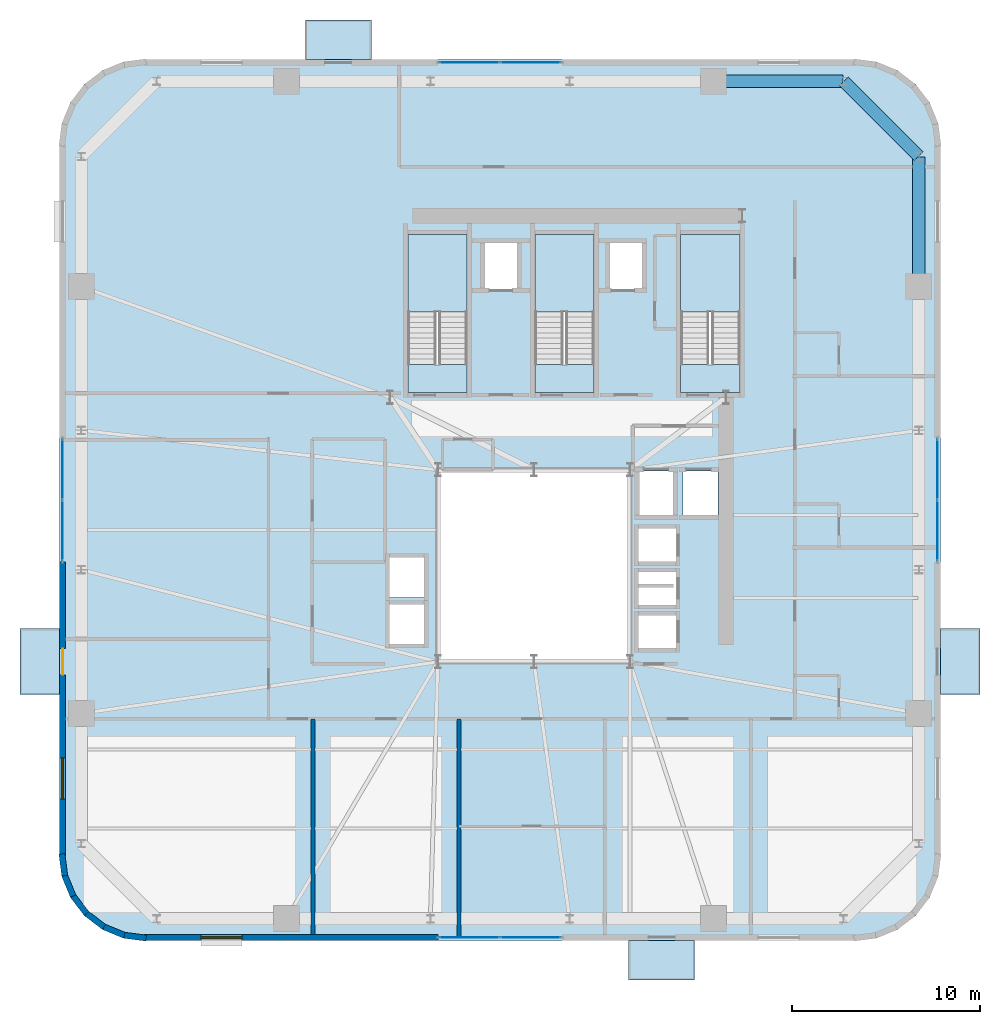
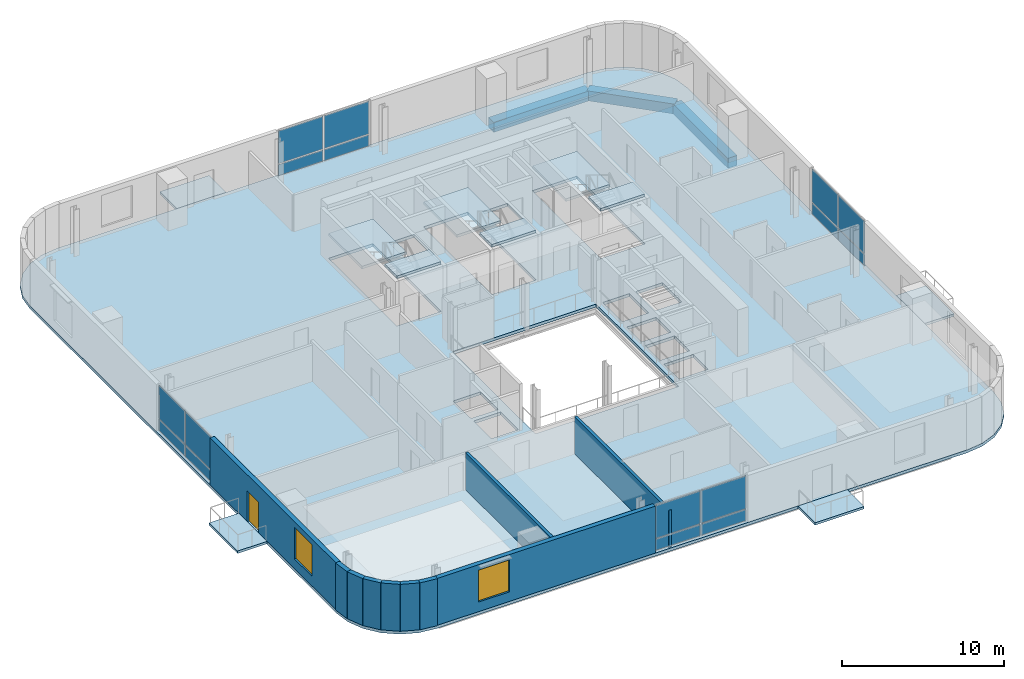
# One storey, part 7 of 16: 16 plates, 11 slabs, 10 walls, 3 beams, 2 windows, 1 door, 3 openings, 7 elements without a shape of their own.
"""IFC4 building model written with IfcOpenShell, lengths in metres."""

from ifc_helpers import new_model, si_unit, direction, frame, frame_2d, origin, origin_2d, place, context, subcontext, project, spatial, polyline, rectangle, outline, extrude, source, transform, mapped, material, layer, layer_set, material_profile, profile_set, type_object, element, fill, aggregate, save


model = new_model("IFC4")

# Units and contexts
model_context = context("Model", 3, precision=1e-05, world=origin(), true_north=direction((0.0, 1.0)))
body_context = subcontext(model_context, "Body", "Model", "MODEL_VIEW")
ifc_project = project(units=[si_unit("LENGTHUNIT", "METRE"), si_unit("AREAUNIT", "SQUARE_METRE"), si_unit("VOLUMEUNIT", "CUBIC_METRE"), si_unit("PLANEANGLEUNIT", "RADIAN"), si_unit("MASSUNIT", "GRAM", prefix="KILO")], contexts=[model_context])

# Site, building, storey
site_placement = place(None, origin())
site = spatial("IfcSite", under=ifc_project, at=site_placement, CompositionType="ELEMENT")
building_placement = place(site_placement, origin())
building = spatial("IfcBuilding", under=site, at=building_placement, Name="Vardaveli Station Tower", CompositionType="ELEMENT")
storey_placement = place(building_placement, frame((0.0, 0.0, 192.300048828125)))
storey = spatial("IfcBuildingStorey", under=building, at=storey_placement, Name="L49", CompositionType="ELEMENT", Elevation=192.300048828125)

# Beams
ifc_material_1 = material(Name="Precast concrete C45/55", Category="concrete")
ifc_material_profile = material_profile(ifc_material_1, rectangle(XDim=0.64990234375, YDim=0.75, at=origin_2d()), Name="LPB 650x750")
ifc_profile_set = profile_set([ifc_material_profile], Name="Precast concrete C45/55")
beam_type = type_object("IfcBeamType", Name="BM-LPB-750", PredefinedType="BEAM", material=ifc_profile_set)
shared_shape_1 = source(origin(), body_context, "Body", "SweptSolid", [
    extrude(rectangle(XDim=0.64990234375, YDim=0.75, at=origin_2d()), origin(), (0.0, 0.0, 1.0), 6.869873046875),
])
for number, where, z_axis, x_axis, name in (
    (1, (56.75, 36.56005859375, -0.594970703125), (0.0, 1.0, 0.0), (-1.0, 0.0, 0.0), "RBM-L49-10"),
    (2, (52.72998046875, 47.449951171875, -0.594970703125), (-1.0, 0.0, 0.0), (0.0, -1.0, 0.0), "RBM-L49-12"),
):
    element("IfcBeam", number, at=place(storey_placement, frame(where, z_axis=z_axis, x_axis=x_axis)), inside=storey, type_object=beam_type, Name=name, PredefinedType="BEAM", context=body_context, shape_type="MappedRepresentation", body=[
        mapped(shared_shape_1, transform((0.0, 0.0, 0.0), scale=1.0)),
    ])
shared_shape_2 = source(origin(), body_context, "Body", "SweptSolid", [
    extrude(rectangle(XDim=0.64990234375, YDim=0.75, at=origin_2d()), origin(), (0.0, 0.0, 1.0), 5.61669921875),
])
beam_placement = place(storey_placement, frame((56.73583984375, 43.464111328125, -0.594970703125), z_axis=(-0.707106781187, 0.707106781187, 0.0), x_axis=(-0.707106781187, -0.707106781187, 0.0)))
element("IfcBeam", 3, at=beam_placement, inside=storey, type_object=beam_type, Name="RBM-L49-11", PredefinedType="BEAM", context=body_context, shape_type="MappedRepresentation", body=[
    mapped(shared_shape_2, transform((0.0, 0.0, 0.0), scale=1.0)),
])

# Stair, slabs
ifc_material_2 = material(Name="Concrete C40/50", Category="concrete")
stair_type = type_object("IfcStairType", Name="STR-CORE-1500", PredefinedType="HALF_TURN_STAIR", material=ifc_material_2)
stair_1_placement = place(storey_placement, origin())
stair_1 = element("IfcStair", 4, at=stair_1_placement, inside=storey, type_object=stair_type, Name="L49 ST-1", PredefinedType="HALF_TURN_STAIR")
ifc_layer_1 = layer(ifc_material_2, 0.199951171875, Name="Concrete C40/50")
ifc_layer_set_1 = layer_set([ifc_layer_1], Name="Concrete C40/50")
slab_type_1 = type_object("IfcSlabType", Name="SLB-LAND-200", PredefinedType="LANDING", material=ifc_layer_set_1)
slab_1_placement = place(storey_placement, frame((0.0, 0.0, 1.675048828125)))
slab_1 = element("IfcSlab", 5, at=slab_1_placement, type_object=slab_type_1, Name="ST-1 landing 1", PredefinedType="LANDING", context=body_context, shape_type="SweptSolid", body=[
    extrude(outline(polyline([(32.75, 35.199951171875), (32.75, 39.300048828125), (29.60009765625, 39.300048828125), (29.60009765625, 35.199951171875), (32.75, 35.199951171875)])), origin(), (0.0, 0.0, 1.0), 0.199951171875),
])
slab_2_placement = place(storey_placement, frame((0.0, 0.0, 3.550048828125)))
slab_2 = element("IfcSlab", 6, at=slab_2_placement, type_object=slab_type_1, Name="ST-1 landing 2", PredefinedType="LANDING", context=body_context, shape_type="SweptSolid", body=[
    extrude(outline(polyline([(32.75, 30.89990234375), (32.75, 32.39990234375), (29.60009765625, 32.39990234375), (29.60009765625, 30.89990234375), (32.75, 30.89990234375)])), origin(), (0.0, 0.0, 1.0), 0.199951171875),
])
aggregate(stair_1, [slab_1, slab_2])

stair_2_placement = place(storey_placement, origin())
stair_2 = element("IfcStair", 7, at=stair_2_placement, inside=storey, type_object=stair_type, Name="L49 ST-2", PredefinedType="HALF_TURN_STAIR")
slab_3_placement = place(storey_placement, frame((0.0, 0.0, 1.675048828125)))
slab_3 = element("IfcSlab", 8, at=slab_3_placement, type_object=slab_type_1, Name="ST-2 landing 1", PredefinedType="LANDING", context=body_context, shape_type="SweptSolid", body=[
    extrude(outline(polyline([(39.5, 35.199951171875), (39.5, 39.300048828125), (36.35009765625, 39.300048828125), (36.35009765625, 35.199951171875), (39.5, 35.199951171875)])), origin(), (0.0, 0.0, 1.0), 0.199951171875),
])
slab_4_placement = place(storey_placement, frame((0.0, 0.0, 3.550048828125)))
slab_4 = element("IfcSlab", 9, at=slab_4_placement, type_object=slab_type_1, Name="ST-2 landing 2", PredefinedType="LANDING", context=body_context, shape_type="SweptSolid", body=[
    extrude(outline(polyline([(39.5, 30.89990234375), (39.5, 32.39990234375), (36.35009765625, 32.39990234375), (36.35009765625, 30.89990234375), (39.5, 30.89990234375)])), origin(), (0.0, 0.0, 1.0), 0.199951171875),
])
aggregate(stair_2, [slab_3, slab_4])

stair_3_placement = place(storey_placement, origin())
stair_3 = element("IfcStair", 10, at=stair_3_placement, inside=storey, type_object=stair_type, Name="L49 ST-3", PredefinedType="HALF_TURN_STAIR")
slab_5_placement = place(storey_placement, frame((0.0, 0.0, 1.675048828125)))
slab_5 = element("IfcSlab", 11, at=slab_5_placement, type_object=slab_type_1, Name="ST-3 landing 1", PredefinedType="LANDING", context=body_context, shape_type="SweptSolid", body=[
    extrude(outline(polyline([(47.25, 35.199951171875), (47.25, 39.300048828125), (44.10009765625, 39.300048828125), (44.10009765625, 35.199951171875), (47.25, 35.199951171875)])), origin(), (0.0, 0.0, 1.0), 0.199951171875),
])
slab_6_placement = place(storey_placement, frame((0.0, 0.0, 3.550048828125)))
slab_6 = element("IfcSlab", 12, at=slab_6_placement, type_object=slab_type_1, Name="ST-3 landing 2", PredefinedType="LANDING", context=body_context, shape_type="SweptSolid", body=[
    extrude(outline(polyline([(47.25, 30.89990234375), (47.25, 32.39990234375), (44.10009765625, 32.39990234375), (44.10009765625, 30.89990234375), (47.25, 30.89990234375)])), origin(), (0.0, 0.0, 1.0), 0.199951171875),
])
aggregate(stair_3, [slab_5, slab_6])

# Slabs
ifc_layer_2 = layer(ifc_material_1, 0.179931640625, Name="Precast concrete C45/55")
ifc_layer_set_2 = layer_set([ifc_layer_2], Name="Precast concrete C45/55")
slab_type_2 = type_object("IfcSlabType", Name="SLB-LOGGIA-180", PredefinedType="FLOOR", material=ifc_layer_set_2)
slab_7_placement = place(storey_placement, frame((0.0, 0.0, -0.179931640625)))
element("IfcSlab", 13, at=slab_7_placement, inside=storey, type_object=slab_type_2, Name="LOG-L49-S", PredefinedType="FLOOR", context=body_context, shape_type="SweptSolid", body=[
    extrude(outline(polyline([(41.339599609375, -0.300048828125), (44.839599609375, -0.300048828125), (44.839599609375, 1.800048828125), (41.339599609375, 1.800048828125), (41.339599609375, -0.300048828125)])), origin(), (0.0, 0.0, 1.0), 0.179931640625),
])
slab_8_placement = place(storey_placement, frame((0.0, 0.0, -0.179931640625)))
element("IfcSlab", 14, at=slab_8_placement, inside=storey, type_object=slab_type_2, Name="LOG-L49-N", PredefinedType="FLOOR", context=body_context, shape_type="SweptSolid", body=[
    extrude(outline(polyline([(24.160400390625, 48.60009765625), (27.660400390625, 48.60009765625), (27.660400390625, 50.699951171875), (24.160400390625, 50.699951171875), (24.160400390625, 48.60009765625)])), origin(), (0.0, 0.0, 1.0), 0.179931640625),
])
slab_9_placement = place(storey_placement, frame((0.0, 0.0, -0.179931640625)))
element("IfcSlab", 15, at=slab_9_placement, inside=storey, type_object=slab_type_2, Name="LOG-L49-W", PredefinedType="FLOOR", context=body_context, shape_type="SweptSolid", body=[
    extrude(outline(polyline([(9.0, 14.8603515625), (11.10009765625, 14.8603515625), (11.10009765625, 18.3603515625), (9.0, 18.3603515625), (9.0, 14.8603515625)])), origin(), (0.0, 0.0, 1.0), 0.179931640625),
])
slab_10_placement = place(storey_placement, frame((0.0, 0.0, -0.179931640625)))
element("IfcSlab", 16, at=slab_10_placement, inside=storey, type_object=slab_type_2, Name="LOG-L49-E", PredefinedType="FLOOR", context=body_context, shape_type="SweptSolid", body=[
    extrude(outline(polyline([(57.89990234375, 14.8603515625), (60.0, 14.8603515625), (60.0, 18.3603515625), (57.89990234375, 18.3603515625), (57.89990234375, 14.8603515625)])), origin(), (0.0, 0.0, 1.0), 0.179931640625),
])
ifc_layer_3 = layer(ifc_material_2, 0.219970703125, Name="Concrete C40/50")
ifc_layer_set_3 = layer_set([ifc_layer_3], Name="Concrete C40/50")
slab_type_3 = type_object("IfcSlabType", Name="SLB-TOW-220", PredefinedType="FLOOR", material=ifc_layer_set_3)
slab_11_placement = place(storey_placement, frame((0.0, 0.0, -0.219970703125)))
element("IfcSlab", 17, at=slab_11_placement, inside=storey, type_object=slab_type_3, Name="SLB-L49-MAIN", PredefinedType="FLOOR", context=body_context, shape_type="SweptSolid", body=[
    extrude(outline(polyline([(11.10009765625, 6.300048828125), (11.25341796875, 5.13525390625), (11.702880859375, 4.050048828125), (12.41796875, 3.117919921875), (13.35009765625, 2.40283203125), (14.435302734375, 1.953369140625), (15.60009765625, 1.800048828125), (53.39990234375, 1.800048828125), (54.564697265625, 1.953369140625), (55.64990234375, 2.40283203125), (56.58203125, 3.117919921875), (57.297119140625, 4.050048828125), (57.74658203125, 5.13525390625), (57.89990234375, 6.300048828125), (57.89990234375, 44.10009765625), (57.74658203125, 45.2646484375), (57.297119140625, 46.35009765625), (56.58203125, 47.281982421875), (55.64990234375, 47.9970703125), (54.564697265625, 48.44677734375), (53.39990234375, 48.60009765625), (15.60009765625, 48.60009765625), (14.435302734375, 48.44677734375), (13.35009765625, 47.9970703125), (12.41796875, 47.281982421875), (11.702880859375, 46.35009765625), (11.25341796875, 45.2646484375), (11.10009765625, 44.10009765625), (11.10009765625, 6.300048828125)]), holes=[polyline([(31.199951171875, 16.60009765625), (41.39990234375, 16.60009765625), (41.39990234375, 26.800048828125), (31.199951171875, 26.800048828125), (31.199951171875, 16.60009765625)]), polyline([(32.75, 30.89990234375), (32.75, 39.300048828125), (29.60009765625, 39.300048828125), (29.60009765625, 30.89990234375), (32.75, 30.89990234375)]), polyline([(39.5, 30.89990234375), (39.5, 39.300048828125), (36.35009765625, 39.300048828125), (36.35009765625, 30.89990234375), (39.5, 30.89990234375)]), polyline([(47.25, 30.89990234375), (47.25, 39.300048828125), (44.10009765625, 39.300048828125), (44.10009765625, 30.89990234375), (47.25, 30.89990234375)]), polyline([(33.659912109375, 36.409912109375), (35.43994140625, 36.409912109375), (35.43994140625, 38.889892578125), (33.659912109375, 38.889892578125), (33.659912109375, 36.409912109375)]), polyline([(40.31005859375, 36.409912109375), (42.090087890625, 36.409912109375), (42.090087890625, 38.889892578125), (40.31005859375, 38.889892578125), (40.31005859375, 36.409912109375)]), polyline([(41.81005859375, 21.885009765625), (43.889892578125, 21.885009765625), (43.889892578125, 23.715087890625), (41.81005859375, 23.715087890625), (41.81005859375, 21.885009765625)]), polyline([(41.81005859375, 19.5849609375), (43.889892578125, 19.5849609375), (43.889892578125, 21.4150390625), (41.81005859375, 21.4150390625), (41.81005859375, 19.5849609375)]), polyline([(41.81005859375, 17.284912109375), (43.889892578125, 17.284912109375), (43.889892578125, 19.114990234375), (41.81005859375, 19.114990234375), (41.81005859375, 17.284912109375)]), polyline([(28.5849609375, 17.510009765625), (30.514892578125, 17.510009765625), (30.514892578125, 19.68994140625), (28.5849609375, 19.68994140625), (28.5849609375, 17.510009765625)]), polyline([(28.5849609375, 20.010009765625), (30.514892578125, 20.010009765625), (30.514892578125, 22.18994140625), (28.5849609375, 22.18994140625), (28.5849609375, 20.010009765625)]), polyline([(41.860107421875, 24.360107421875), (43.739990234375, 24.360107421875), (43.739990234375, 26.739990234375), (41.860107421875, 26.739990234375), (41.860107421875, 24.360107421875)]), polyline([(44.2099609375, 24.360107421875), (46.090087890625, 24.360107421875), (46.090087890625, 26.739990234375), (44.2099609375, 26.739990234375), (44.2099609375, 24.360107421875)])]), origin(), (0.0, 0.0, 1.0), 0.219970703125),
])

# Curtain wall, plates
ifc_material_3 = material(Name="Travertine stone and solar-control glass", Category="masonry")
curtain_wall_type = type_object("IfcCurtainWallType", Name="CW-SYS-5", PredefinedType="NOTDEFINED", material=ifc_material_3)
curtain_wall_1_placement = place(storey_placement, origin())
curtain_wall_1 = element("IfcCurtainWall", 18, at=curtain_wall_1_placement, inside=storey, type_object=curtain_wall_type, Name="CW-L49-S", PredefinedType="NOTDEFINED")
ifc_material_4 = material(Name="Double-glazed low-E solar-control glass", Category="glass")
ifc_layer_4 = layer(ifc_material_4, 0.031982421875, Name="Double-glazed low-E solar-control glass")
ifc_layer_set_4 = layer_set([ifc_layer_4], Name="Double-glazed low-E solar-control glass")
plate_type = type_object("IfcPlateType", Name="CW-SYS-5-PAN", PredefinedType="CURTAIN_PANEL", material=ifc_layer_set_4)
shared_shape_3 = source(origin(), body_context, "Body", "SweptSolid", [
    extrude(rectangle(XDim=3.179931640625, YDim=0.031982421875, at=origin_2d()), origin(), (0.0, 0.0, 1.0), 0.830078125),
])
plate_1_placement = place(storey_placement, frame((32.8701171875, 1.9599609375, 0.079833984375), z_axis=(0.0, 0.0, 1.0), x_axis=(1.0, 0.0, 0.0)))
plate_1 = element("IfcPlate", 19, at=plate_1_placement, type_object=plate_type, Name="CW-5 panel 1.1", PredefinedType="CURTAIN_PANEL", context=body_context, shape_type="MappedRepresentation", body=[
    mapped(shared_shape_3, transform((0.0, 0.0, 0.0), scale=1.0)),
])
plate_2_placement = place(storey_placement, frame((36.1298828125, 1.9599609375, 0.079833984375), z_axis=(0.0, 0.0, 1.0), x_axis=(1.0, 0.0, 0.0)))
plate_2 = element("IfcPlate", 20, at=plate_2_placement, type_object=plate_type, Name="CW-5 panel 2.1", PredefinedType="CURTAIN_PANEL", context=body_context, shape_type="MappedRepresentation", body=[
    mapped(shared_shape_3, transform((0.0, 0.0, 0.0), scale=1.0)),
])

curtain_wall_2_placement = place(storey_placement, origin())
curtain_wall_2 = element("IfcCurtainWall", 21, at=curtain_wall_2_placement, inside=storey, type_object=curtain_wall_type, Name="CW-L49-N", PredefinedType="NOTDEFINED")
plate_3_placement = place(storey_placement, frame((36.1298828125, 48.43994140625, 0.079833984375), z_axis=(0.0, 0.0, 1.0), x_axis=(-1.0, 0.0, 0.0)))
plate_3 = element("IfcPlate", 22, at=plate_3_placement, type_object=plate_type, Name="CW-5 panel 1.1", PredefinedType="CURTAIN_PANEL", context=body_context, shape_type="MappedRepresentation", body=[
    mapped(shared_shape_3, transform((0.0, 0.0, 0.0), scale=1.0)),
])
plate_4_placement = place(storey_placement, frame((32.8701171875, 48.43994140625, 0.079833984375), z_axis=(0.0, 0.0, 1.0), x_axis=(-1.0, 0.0, 0.0)))
plate_4 = element("IfcPlate", 23, at=plate_4_placement, type_object=plate_type, Name="CW-5 panel 2.1", PredefinedType="CURTAIN_PANEL", context=body_context, shape_type="MappedRepresentation", body=[
    mapped(shared_shape_3, transform((0.0, 0.0, 0.0), scale=1.0)),
])

curtain_wall_3_placement = place(storey_placement, origin())
curtain_wall_3 = element("IfcCurtainWall", 24, at=curtain_wall_3_placement, inside=storey, type_object=curtain_wall_type, Name="CW-L49-W", PredefinedType="NOTDEFINED")
plate_5_placement = place(storey_placement, frame((11.260009765625, 26.830078125, 0.079833984375), z_axis=(0.0, 0.0, 1.0), x_axis=(0.0, -1.0, 0.0)))
plate_5 = element("IfcPlate", 25, at=plate_5_placement, type_object=plate_type, Name="CW-5 panel 1.1", PredefinedType="CURTAIN_PANEL", context=body_context, shape_type="MappedRepresentation", body=[
    mapped(shared_shape_3, transform((0.0, 0.0, 0.0), scale=1.0)),
])
plate_6_placement = place(storey_placement, frame((11.260009765625, 23.570068359375, 0.079833984375), z_axis=(0.0, 0.0, 1.0), x_axis=(0.0, -1.0, 0.0)))
plate_6 = element("IfcPlate", 26, at=plate_6_placement, type_object=plate_type, Name="CW-5 panel 2.1", PredefinedType="CURTAIN_PANEL", context=body_context, shape_type="MappedRepresentation", body=[
    mapped(shared_shape_3, transform((0.0, 0.0, 0.0), scale=1.0)),
])

curtain_wall_4_placement = place(storey_placement, origin())
curtain_wall_4 = element("IfcCurtainWall", 27, at=curtain_wall_4_placement, inside=storey, type_object=curtain_wall_type, Name="CW-L49-E", PredefinedType="NOTDEFINED")
plate_7_placement = place(storey_placement, frame((57.739990234375, 23.570068359375, 0.079833984375), z_axis=(0.0, 0.0, 1.0), x_axis=(0.0, 1.0, 0.0)))
plate_7 = element("IfcPlate", 28, at=plate_7_placement, type_object=plate_type, Name="CW-5 panel 1.1", PredefinedType="CURTAIN_PANEL", context=body_context, shape_type="MappedRepresentation", body=[
    mapped(shared_shape_3, transform((0.0, 0.0, 0.0), scale=1.0)),
])
plate_8_placement = place(storey_placement, frame((57.739990234375, 26.830078125, 0.079833984375), z_axis=(0.0, 0.0, 1.0), x_axis=(0.0, 1.0, 0.0)))
plate_8 = element("IfcPlate", 29, at=plate_8_placement, type_object=plate_type, Name="CW-5 panel 2.1", PredefinedType="CURTAIN_PANEL", context=body_context, shape_type="MappedRepresentation", body=[
    mapped(shared_shape_3, transform((0.0, 0.0, 0.0), scale=1.0)),
])

# Plate
shared_shape_4 = source(origin(), body_context, "Body", "SweptSolid", [
    extrude(rectangle(XDim=3.179931640625, YDim=0.031982421875, at=origin_2d()), origin(), (0.0, 0.0, 1.0), 2.4599609375),
])
plate_9_placement = place(storey_placement, frame((32.8701171875, 1.9599609375, 0.989990234375), z_axis=(0.0, 0.0, 1.0), x_axis=(1.0, 0.0, 0.0)))
plate_9 = element("IfcPlate", 30, at=plate_9_placement, type_object=plate_type, Name="CW-5 panel 1.2", PredefinedType="CURTAIN_PANEL", context=body_context, shape_type="MappedRepresentation", body=[
    mapped(shared_shape_4, transform((0.0, 0.0, 0.0), scale=1.0)),
])

plate_10_placement = place(storey_placement, frame((36.1298828125, 1.9599609375, 0.989990234375), z_axis=(0.0, 0.0, 1.0), x_axis=(1.0, 0.0, 0.0)))
plate_10 = element("IfcPlate", 31, at=plate_10_placement, type_object=plate_type, Name="CW-5 panel 2.2", PredefinedType="CURTAIN_PANEL", context=body_context, shape_type="MappedRepresentation", body=[
    mapped(shared_shape_4, transform((0.0, 0.0, 0.0), scale=1.0)),
])

aggregate(curtain_wall_1, [plate_1, plate_9, plate_2, plate_10])

plate_11_placement = place(storey_placement, frame((36.1298828125, 48.43994140625, 0.989990234375), z_axis=(0.0, 0.0, 1.0), x_axis=(-1.0, 0.0, 0.0)))
plate_11 = element("IfcPlate", 32, at=plate_11_placement, type_object=plate_type, Name="CW-5 panel 1.2", PredefinedType="CURTAIN_PANEL", context=body_context, shape_type="MappedRepresentation", body=[
    mapped(shared_shape_4, transform((0.0, 0.0, 0.0), scale=1.0)),
])

plate_12_placement = place(storey_placement, frame((32.8701171875, 48.43994140625, 0.989990234375), z_axis=(0.0, 0.0, 1.0), x_axis=(-1.0, 0.0, 0.0)))
plate_12 = element("IfcPlate", 33, at=plate_12_placement, type_object=plate_type, Name="CW-5 panel 2.2", PredefinedType="CURTAIN_PANEL", context=body_context, shape_type="MappedRepresentation", body=[
    mapped(shared_shape_4, transform((0.0, 0.0, 0.0), scale=1.0)),
])

aggregate(curtain_wall_2, [plate_3, plate_11, plate_4, plate_12])

plate_13_placement = place(storey_placement, frame((11.260009765625, 26.830078125, 0.989990234375), z_axis=(0.0, 0.0, 1.0), x_axis=(0.0, -1.0, 0.0)))
plate_13 = element("IfcPlate", 34, at=plate_13_placement, type_object=plate_type, Name="CW-5 panel 1.2", PredefinedType="CURTAIN_PANEL", context=body_context, shape_type="MappedRepresentation", body=[
    mapped(shared_shape_4, transform((0.0, 0.0, 0.0), scale=1.0)),
])

plate_14_placement = place(storey_placement, frame((11.260009765625, 23.570068359375, 0.989990234375), z_axis=(0.0, 0.0, 1.0), x_axis=(0.0, -1.0, 0.0)))
plate_14 = element("IfcPlate", 35, at=plate_14_placement, type_object=plate_type, Name="CW-5 panel 2.2", PredefinedType="CURTAIN_PANEL", context=body_context, shape_type="MappedRepresentation", body=[
    mapped(shared_shape_4, transform((0.0, 0.0, 0.0), scale=1.0)),
])

aggregate(curtain_wall_3, [plate_5, plate_13, plate_6, plate_14])

plate_15_placement = place(storey_placement, frame((57.739990234375, 23.570068359375, 0.989990234375), z_axis=(0.0, 0.0, 1.0), x_axis=(0.0, 1.0, 0.0)))
plate_15 = element("IfcPlate", 36, at=plate_15_placement, type_object=plate_type, Name="CW-5 panel 1.2", PredefinedType="CURTAIN_PANEL", context=body_context, shape_type="MappedRepresentation", body=[
    mapped(shared_shape_4, transform((0.0, 0.0, 0.0), scale=1.0)),
])

plate_16_placement = place(storey_placement, frame((57.739990234375, 26.830078125, 0.989990234375), z_axis=(0.0, 0.0, 1.0), x_axis=(0.0, 1.0, 0.0)))
plate_16 = element("IfcPlate", 37, at=plate_16_placement, type_object=plate_type, Name="CW-5 panel 2.2", PredefinedType="CURTAIN_PANEL", context=body_context, shape_type="MappedRepresentation", body=[
    mapped(shared_shape_4, transform((0.0, 0.0, 0.0), scale=1.0)),
])

aggregate(curtain_wall_4, [plate_7, plate_15, plate_8, plate_16])

# Wall, opening, window
ifc_layer_5 = layer(ifc_material_1, 0.320068359375, Name="Precast concrete C45/55")
ifc_layer_set_5 = layer_set([ifc_layer_5], Name="Precast concrete C45/55")
wall_type_1 = type_object("IfcWallType", Name="WAL-EXT-STONE-320", PredefinedType="SOLIDWALL", material=ifc_layer_set_5)
shared_shape_5 = source(origin(), body_context, "Body", "SweptSolid", [
    extrude(rectangle(XDim=15.599853515625, YDim=0.320068359375, at=frame_2d((7.7998046875, 0.0))), origin(), (0.0, 0.0, 1.0), 3.530029296875),
])
wall_1_placement = place(storey_placement, frame((15.60009765625, 1.9599609375, 0.0), z_axis=(0.0, 0.0, 1.0), x_axis=(1.0, 0.0, 0.0)))
wall_1 = element("IfcWall", 38, at=wall_1_placement, inside=storey, type_object=wall_type_1, Name="EW-L49-S1", PredefinedType="SOLIDWALL", context=body_context, shape_type="MappedRepresentation", body=[
    mapped(shared_shape_5, transform((0.0, 0.0, 0.0), scale=1.0)),
])
shared_shape_6 = source(origin(), body_context, "Body", "SweptSolid", [
    extrude(rectangle(XDim=2.199951171875, YDim=2.39990234375, at=frame_2d((1.10009765625, 1.199951171875))), frame((0.0, 0.169921875, 0.0), z_axis=(0.0, -1.0, 0.0), x_axis=(1.0, 0.0, 0.0)), (0.0, 0.0, 1.0), 0.340087890625),
])
opening_1_placement = place(wall_1_placement, frame((3.0048828125, 0.0, 0.719970703125)))
opening_1 = element("IfcOpeningElement", 39, at=opening_1_placement, cuts=wall_1, Name="Opening W-03", PredefinedType="OPENING", context=body_context, shape_type="MappedRepresentation", body=[
    mapped(shared_shape_6, transform((0.0, 0.0, 0.0), scale=1.0)),
])
ifc_material_5 = material(Name="Low-E solar-control glass", Category="glass")
window_type = type_object("IfcWindowType", Name="WIN-LOG-2200x2400", PartitioningType="SINGLE_PANEL", PredefinedType="WINDOW", material=ifc_material_5)
shared_shape_7 = source(origin(), body_context, "Body", "SweptSolid", [
    extrude(rectangle(XDim=2.199951171875, YDim=2.39990234375, at=frame_2d((1.10009765625, 1.199951171875))), frame((0.0, 0.030029296875, 0.0), z_axis=(0.0, -1.0, 0.0), x_axis=(1.0, 0.0, 0.0)), (0.0, 0.0, 1.0), 0.06005859375),
])
window_1_placement = place(opening_1_placement, origin())
window_1 = element("IfcWindow", 40, at=window_1_placement, inside=storey, type_object=window_type, Name="WN-L49-S1", OverallHeight=2.39990234375, OverallWidth=2.199951171875, PartitioningType="SINGLE_PANEL", PredefinedType="WINDOW", context=body_context, shape_type="MappedRepresentation", body=[
    mapped(shared_shape_7, transform((0.0, 0.0, 0.0), scale=1.0)),
])
fill(opening_1, window_1)

# Wall, openings, door, window
wall_2_placement = place(storey_placement, frame((11.260009765625, 21.89990234375, 0.0), z_axis=(0.0, 0.0, 1.0), x_axis=(0.0, -1.0, 0.0)))
wall_2 = element("IfcWall", 41, at=wall_2_placement, inside=storey, type_object=wall_type_1, Name="EW-L49-W2", PredefinedType="SOLIDWALL", context=body_context, shape_type="MappedRepresentation", body=[
    mapped(shared_shape_5, transform((0.0, 0.0, 0.0), scale=1.0)),
])
shared_shape_8 = source(origin(), body_context, "Body", "SweptSolid", [
    extrude(rectangle(XDim=1.39990234375, YDim=2.300048828125, at=frame_2d((0.699951171875, 1.14990234375))), frame((0.0, 0.169921875, 0.0), z_axis=(0.0, -1.0, 0.0), x_axis=(1.0, 0.0, 0.0)), (0.0, 0.0, 1.0), 0.340087890625),
])
opening_2_placement = place(wall_2_placement, frame((4.589599609375, 0.0, 0.0)))
opening_2 = element("IfcOpeningElement", 42, at=opening_2_placement, cuts=wall_2, Name="Opening D-09", PredefinedType="OPENING", context=body_context, shape_type="MappedRepresentation", body=[
    mapped(shared_shape_8, transform((0.0, 0.0, 0.0), scale=1.0)),
])
opening_3_placement = place(wall_2_placement, frame((10.39501953125, 0.0, 0.719970703125)))
opening_3 = element("IfcOpeningElement", 43, at=opening_3_placement, cuts=wall_2, Name="Opening W-03", PredefinedType="OPENING", context=body_context, shape_type="MappedRepresentation", body=[
    mapped(shared_shape_6, transform((0.0, 0.0, 0.0), scale=1.0)),
])
ifc_material_6 = material(Name="Thermally broken aluminium glass", Category="aluminium")
door_type = type_object("IfcDoorType", Name="DR-LOG-1400x2300", OperationType="DOUBLE_DOOR_SLIDING", PredefinedType="DOOR", material=ifc_material_6)
shared_shape_9 = source(origin(), body_context, "Body", "SweptSolid", [
    extrude(rectangle(XDim=1.39990234375, YDim=2.300048828125, at=frame_2d((0.699951171875, 1.14990234375))), frame((0.0, 0.02490234375, 0.0), z_axis=(0.0, -1.0, 0.0), x_axis=(1.0, 0.0, 0.0)), (0.0, 0.0, 1.0), 0.050048828125),
])
door_placement = place(opening_2_placement, frame((1.39990234375, 0.0, 0.0), z_axis=(0.0, 0.0, 1.0), x_axis=(-1.0, 0.0, 0.0)))
door = element("IfcDoor", 44, at=door_placement, inside=storey, type_object=door_type, Name="DLG-L49-W", OperationType="DOUBLE_DOOR_SLIDING", OverallHeight=2.300048828125, OverallWidth=1.39990234375, PredefinedType="DOOR", context=body_context, shape_type="MappedRepresentation", body=[
    mapped(shared_shape_9, transform((0.0, 0.0, 0.0), scale=1.0)),
])
fill(opening_2, door)
window_2_placement = place(opening_3_placement, origin())
window_2 = element("IfcWindow", 45, at=window_2_placement, inside=storey, type_object=window_type, Name="WN-L49-W2", OverallHeight=2.39990234375, OverallWidth=2.199951171875, PartitioningType="SINGLE_PANEL", PredefinedType="WINDOW", context=body_context, shape_type="MappedRepresentation", body=[
    mapped(shared_shape_7, transform((0.0, 0.0, 0.0), scale=1.0)),
])
fill(opening_3, window_2)

# Walls
shared_shape_10 = source(origin(), body_context, "Body", "SweptSolid", [
    extrude(rectangle(XDim=1.170654296875, YDim=0.320068359375, at=frame_2d((0.58544921875, 0.0))), origin(), (0.0, 0.0, 1.0), 3.530029296875),
])
wall_3_placement = place(storey_placement, frame((11.224365234375, 6.400634765625, 0.0), z_axis=(0.0, 0.0, 1.0), x_axis=(0.128269133229, -0.991739395941, 0.0)))
element("IfcWall", 46, at=wall_3_placement, inside=storey, type_object=wall_type_1, Name="EW-L49-CR1-1", PredefinedType="SOLIDWALL", context=body_context, shape_type="MappedRepresentation", body=[
    mapped(shared_shape_10, transform((0.0, 0.0, 0.0), scale=1.0)),
])
shared_shape_11 = source(origin(), body_context, "Body", "SweptSolid", [
    extrude(rectangle(XDim=1.1689453125, YDim=0.320068359375, at=frame_2d((0.58447265625, 0.0))), origin(), (0.0, 0.0, 1.0), 3.530029296875),
])
for number, where, z_axis, x_axis, name in (
    (47, (11.37451171875, 5.23974609375, 0.0), (0.0, 0.0, 1.0), (0.381127904695, -0.924522320046, 0.0), "EW-L49-CR1-2"),
    (48, (11.820068359375, 4.158935546875, 0.0), (0.0, 0.0, 1.0), (0.608387696831, -0.793639975269, 0.0), "EW-L49-CR1-3"),
):
    element("IfcWall", number, at=place(storey_placement, frame(where, z_axis=z_axis, x_axis=x_axis)), inside=storey, type_object=wall_type_1, Name=name, PredefinedType="SOLIDWALL", context=body_context, shape_type="MappedRepresentation", body=[
        mapped(shared_shape_11, transform((0.0, 0.0, 0.0), scale=1.0)),
    ])
shared_shape_12 = source(origin(), body_context, "Body", "SweptSolid", [
    extrude(rectangle(XDim=1.168701171875, YDim=0.320068359375, at=frame_2d((0.58447265625, 0.0))), origin(), (0.0, 0.0, 1.0), 3.530029296875),
])
wall_4_placement = place(storey_placement, frame((12.53125, 3.231201171875, 0.0), z_axis=(0.0, 0.0, 1.0), x_axis=(0.793663520347, -0.608356981114, 0.0)))
element("IfcWall", 49, at=wall_4_placement, inside=storey, type_object=wall_type_1, Name="EW-L49-CR1-4", PredefinedType="SOLIDWALL", context=body_context, shape_type="MappedRepresentation", body=[
    mapped(shared_shape_12, transform((0.0, 0.0, 0.0), scale=1.0)),
])
shared_shape_13 = source(origin(), body_context, "Body", "SweptSolid", [
    extrude(rectangle(XDim=1.16943359375, YDim=0.320068359375, at=frame_2d((0.584716796875, 0.0))), origin(), (0.0, 0.0, 1.0), 3.530029296875),
])
wall_5_placement = place(storey_placement, frame((13.458740234375, 2.520263671875, 0.0), z_axis=(0.0, 0.0, 1.0), x_axis=(0.924479075121, -0.381232789334, 0.0)))
element("IfcWall", 50, at=wall_5_placement, inside=storey, type_object=wall_type_1, Name="EW-L49-CR1-5", PredefinedType="SOLIDWALL", context=body_context, shape_type="MappedRepresentation", body=[
    mapped(shared_shape_13, transform((0.0, 0.0, 0.0), scale=1.0)),
])
shared_shape_14 = source(origin(), body_context, "Body", "SweptSolid", [
    extrude(rectangle(XDim=1.170166015625, YDim=0.320068359375, at=frame_2d((0.5849609375, 0.0))), origin(), (0.0, 0.0, 1.0), 3.530029296875),
])
wall_6_placement = place(storey_placement, frame((14.539794921875, 2.074462890625, 0.0), z_axis=(0.0, 0.0, 1.0), x_axis=(0.991762485493, -0.128090485085, 0.0)))
element("IfcWall", 51, at=wall_6_placement, inside=storey, type_object=wall_type_1, Name="EW-L49-CR1-6", PredefinedType="SOLIDWALL", context=body_context, shape_type="MappedRepresentation", body=[
    mapped(shared_shape_14, transform((0.0, 0.0, 0.0), scale=1.0)),
])
ifc_material_7 = material(Name="Acoustic twin-stud gypsum partition")
ifc_layer_6 = layer(ifc_material_7, 0.199951171875, Name="Acoustic twin-stud gypsum partition")
ifc_layer_set_6 = layer_set([ifc_layer_6], Name="Acoustic twin-stud gypsum partition")
wall_type_2 = type_object("IfcWallType", Name="WAL-PARTY-200", PredefinedType="PARTITIONING", material=ifc_layer_set_6)
shared_shape_15 = source(origin(), body_context, "Body", "SweptSolid", [
    extrude(rectangle(XDim=11.447998046875, YDim=0.199951171875, at=frame_2d((5.72412109375, 0.0))), origin(), (0.0, 0.0, 1.0), 2.77197265625),
])
wall_7_placement = place(storey_placement, frame((24.570068359375, 2.1220703125, 0.0), z_axis=(0.0, 0.0, 1.0), x_axis=(0.0, 1.0, 0.0)))
element("IfcWall", 52, at=wall_7_placement, inside=storey, type_object=wall_type_2, Name="W-L49-PS1", PredefinedType="PARTITIONING", context=body_context, shape_type="MappedRepresentation", body=[
    mapped(shared_shape_15, transform((0.0, 0.0, 0.0), scale=1.0)),
])
shared_shape_16 = source(origin(), body_context, "Body", "SweptSolid", [
    extrude(rectangle(XDim=11.64013671875, YDim=0.199951171875, at=frame_2d((5.820068359375, 0.0))), origin(), (0.0, 0.0, 1.0), 2.77197265625),
])
wall_8_placement = place(storey_placement, frame((32.320068359375, 1.929931640625, 0.0), z_axis=(0.0, 0.0, 1.0), x_axis=(0.0, 1.0, 0.0)))
element("IfcWall", 53, at=wall_8_placement, inside=storey, type_object=wall_type_2, Name="W-L49-PS2", PredefinedType="PARTITIONING", context=body_context, shape_type="MappedRepresentation", body=[
    mapped(shared_shape_16, transform((0.0, 0.0, 0.0), scale=1.0)),
])

save(model, "model.ifc")
